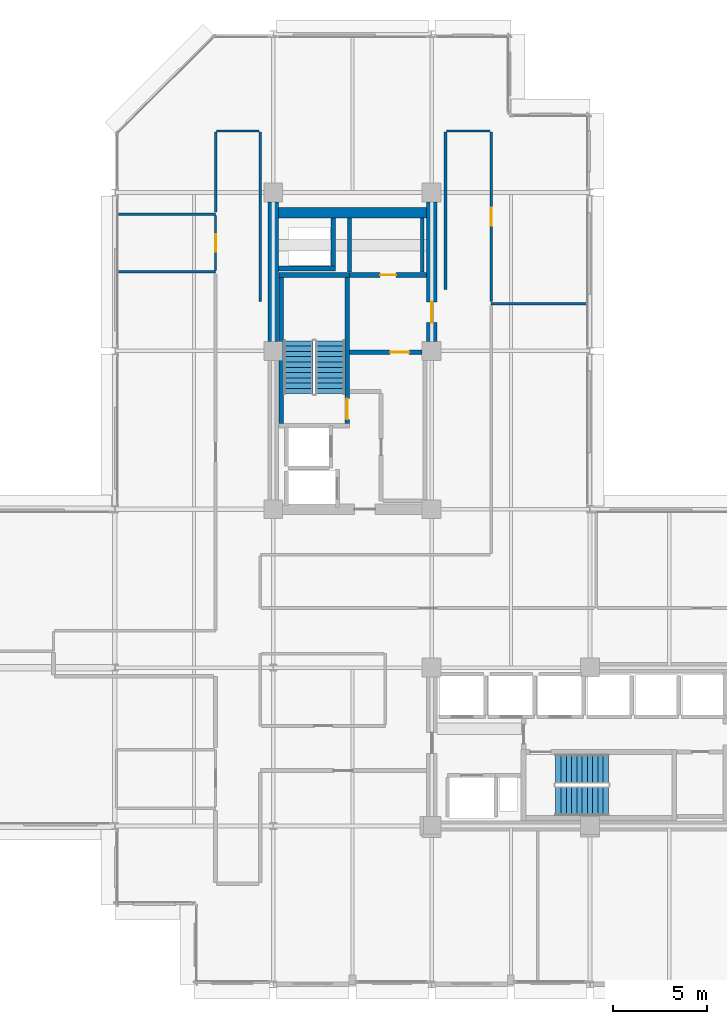
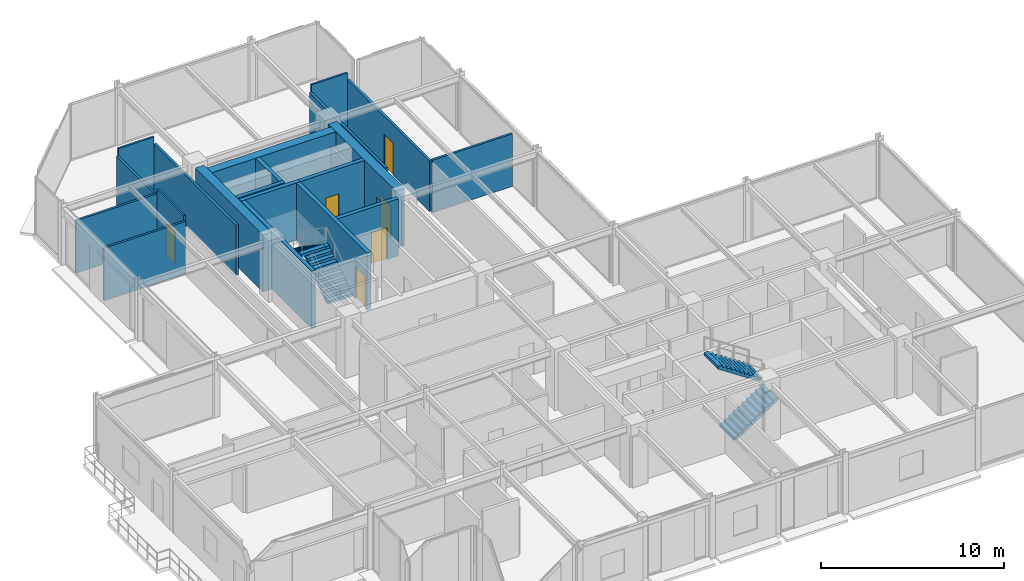
# One storey, part 26 of 29: 22 walls, 6 doors, 4 stair flights, 6 openings, 2 elements without a shape of their own.
"""IFC4 building model written with IfcOpenShell, lengths in metres."""

from ifc_helpers import new_model, si_unit, direction, frame, frame_2d, origin, place, context, subcontext, project, spatial, polyline, rectangle, outline, extrude, material, layer, layer_set, type_object, element, fill, aggregate, save


model = new_model("IFC4")

# Units and contexts
model_context = context("Model", 3, precision=1e-05, world=origin(), true_north=direction((0.0, 1.0)))
body_context = subcontext(model_context, "Body", "Model", "MODEL_VIEW")
ifc_project = project(units=[si_unit("LENGTHUNIT", "METRE"), si_unit("AREAUNIT", "SQUARE_METRE"), si_unit("VOLUMEUNIT", "CUBIC_METRE"), si_unit("PLANEANGLEUNIT", "RADIAN"), si_unit("MASSUNIT", "GRAM", prefix="KILO")], contexts=[model_context])

# Site, building, storey
site_placement = place(None, origin())
site = spatial("IfcSite", under=ifc_project, at=site_placement, CompositionType="ELEMENT")
building_placement = place(site_placement, origin())
building = spatial("IfcBuilding", under=site, at=building_placement, Name="Nerrivon Quay Data Exchange", CompositionType="ELEMENT")
storey_placement = place(building_placement, frame((0.0, 0.0, 204.199951171875)))
storey = spatial("IfcBuildingStorey", under=building, at=storey_placement, Name="L48", CompositionType="ELEMENT", Elevation=204.199951171875)

# Walls
ifc_material_1 = material(Name="Concrete S65 (65 MPa)", Category="concrete")
ifc_layer_1 = layer(ifc_material_1, 0.550048828125)
ifc_layer_set_1 = layer_set([ifc_layer_1], Name="Concrete S65 (65 MPa)")
wall_type_1 = type_object("IfcWallType", Name="WALL-CW-700", PredefinedType="SHEAR", material=ifc_layer_set_1)
wall_1_placement = place(storey_placement, frame((8.39990234375, 34.10009765625, 0.0), z_axis=(0.0, 0.0, 1.0), x_axis=(0.0, 1.0, 0.0)))
element("IfcWall", 1, at=wall_1_placement, inside=storey, type_object=wall_type_1, Name="L48 West Split-Core Shear Wall WCW-W2", PredefinedType="SHEAR", context=body_context, shape_type="SweptSolid", body=[
    extrude(rectangle(XDim=7.39990234375, YDim=0.550048828125, at=frame_2d((3.699951171875, 0.0))), origin(), (0.0, 0.0, 1.0), 3.824951171875),
])
wall_2_placement = place(storey_placement, frame((8.675048828125, 40.925048828125, 0.0), z_axis=(0.0, 0.0, 1.0), x_axis=(1.0, 0.0, 0.0)))
element("IfcWall", 2, at=wall_2_placement, inside=storey, type_object=wall_type_1, Name="L48 West Split-Core Shear Wall WCW-N1", PredefinedType="SHEAR", context=body_context, shape_type="SweptSolid", body=[
    extrude(rectangle(XDim=7.849853515625, YDim=0.550048828125, at=frame_2d((3.9248046875, 0.0))), origin(), (0.0, 0.0, 1.0), 3.824951171875),
])

# Wall, opening, door
wall_3_placement = place(storey_placement, frame((16.800048828125, 34.10009765625, 0.0), z_axis=(0.0, 0.0, 1.0), x_axis=(0.0, 1.0, 0.0)))
wall_3 = element("IfcWall", 3, at=wall_3_placement, inside=storey, type_object=wall_type_1, Name="L48 West Split-Core Shear Wall WCW-E1", PredefinedType="SHEAR", context=body_context, shape_type="SweptSolid", body=[
    extrude(rectangle(XDim=7.39990234375, YDim=0.550048828125, at=frame_2d((3.699951171875, 0.0))), origin(), (0.0, 0.0, 1.0), 3.824951171875),
])
opening_1_placement = place(wall_3_placement, frame((1.0, 0.0, 0.0)))
opening_1 = element("IfcOpeningElement", 4, at=opening_1_placement, cuts=wall_3, Name="Opening FD-120", PredefinedType="OPENING", context=body_context, shape_type="SweptSolid", body=[
    extrude(rectangle(XDim=1.10009765625, YDim=2.14990234375, at=frame_2d((0.550048828125, 1.074951171875))), frame((0.0, 0.284912109375, 0.0), z_axis=(0.0, -1.0, 0.0), x_axis=(1.0, 0.0, 0.0)), (0.0, 0.0, 1.0), 0.570068359375),
])
ifc_material_2 = material(Name="Powder-coated galvanized steel sheet", Category="steel")
door_type_1 = type_object("IfcDoorType", Name="DR-FD120-1100", OperationType="NOTDEFINED", PredefinedType="DOOR", material=ifc_material_2)
door_1_placement = place(opening_1_placement, origin())
door_1 = element("IfcDoor", 5, at=door_1_placement, inside=storey, type_object=door_type_1, Name="L48 West Core Lobby Fire Door", OperationType="SINGLE_SWING_LEFT", OverallHeight=2.14990234375, OverallWidth=1.10009765625, PredefinedType="DOOR", context=body_context, shape_type="SweptSolid", body=[
    extrude(rectangle(XDim=1.10009765625, YDim=2.14990234375, at=frame_2d((0.550048828125, 1.074951171875))), frame((0.0, 0.02490234375, 0.0), z_axis=(0.0, -1.0, 0.0), x_axis=(1.0, 0.0, 0.0)), (0.0, 0.0, 1.0), 0.050048828125),
])
fill(opening_1, door_1)

# Walls
ifc_material_3 = material(Name="Gypsum plasterboard on cold-formed framing", Category="gypsum")
ifc_layer_2 = layer(ifc_material_3, 0.199951171875)
ifc_layer_set_2 = layer_set([ifc_layer_2], Name="Gypsum plasterboard on cold-formed framing")
wall_type_2 = type_object("IfcWallType", Name="WALL-FW-200", PredefinedType="PARTITIONING", material=ifc_layer_set_2)
for number, where, z_axis, x_axis, name in (
    (6, (16.300048828125, 37.780029296875, 0.0), (0.0, 0.0, 1.0), (0.0, 1.0, 0.0), "L48 Partition Cleaners Store"),
    (7, (12.449951171875, 40.64599609375, 0.0), (0.0, 0.0, 1.0), (0.0, -1.0, 0.0), "L48 Partition Cleaners Store"),
):
    element("IfcWall", number, at=place(storey_placement, frame(where, z_axis=z_axis, x_axis=x_axis)), inside=storey, type_object=wall_type_2, Name=name, PredefinedType="PARTITIONING", context=body_context, shape_type="SweptSolid", body=[
        extrude(rectangle(XDim=2.865966796875, YDim=0.199951171875, at=frame_2d((1.43310546875, 0.0))), origin(), (0.0, 0.0, 1.0), 2.875),
    ])

# Wall, opening, door
ifc_layer_3 = layer(ifc_material_3, 0.1201171875)
ifc_layer_set_3 = layer_set([ifc_layer_3], Name="Gypsum plasterboard on cold-formed framing")
wall_type_3 = type_object("IfcWallType", Name="WALL-PT-120", PredefinedType="PARTITIONING", material=ifc_layer_set_3)
wall_4_placement = place(storey_placement, frame((5.340087890625, 37.87158203125, 0.0), z_axis=(0.0, 0.0, 1.0), x_axis=(0.0, 1.0, 0.0)))
wall_4 = element("IfcWall", 8, at=wall_4_placement, inside=storey, type_object=wall_type_3, Name="L48 Partition Accessible Toilet", PredefinedType="PARTITIONING", context=body_context, shape_type="SweptSolid", body=[
    extrude(rectangle(XDim=2.906982421875, YDim=0.1201171875, at=frame_2d((1.45361328125, 0.0))), origin(), (0.0, 0.0, 1.0), 3.824951171875),
])
opening_2_placement = place(wall_4_placement, frame((0.993408203125, 0.0, 0.0)))
opening_2 = element("IfcOpeningElement", 9, at=opening_2_placement, cuts=wall_4, Name="Opening D-WC", PredefinedType="OPENING", context=body_context, shape_type="SweptSolid", body=[
    extrude(rectangle(XDim=0.919921875, YDim=2.10009765625, at=frame_2d((0.4599609375, 1.050048828125))), frame((0.0, 0.070068359375, 0.0), z_axis=(0.0, -1.0, 0.0), x_axis=(1.0, 0.0, 0.0)), (0.0, 0.0, 1.0), 0.14013671875),
])
ifc_material_4 = material(Name="Engineered hardwood timber", Category="wood")
door_type_2 = type_object("IfcDoorType", Name="DR-WC-920", OperationType="NOTDEFINED", PredefinedType="DOOR", material=ifc_material_4)
door_2_placement = place(opening_2_placement, origin())
door_2 = element("IfcDoor", 10, at=door_2_placement, inside=storey, type_object=door_type_2, Name="L48 Door Accessible Toilet", OperationType="SINGLE_SWING_RIGHT", OverallHeight=2.10009765625, OverallWidth=0.919921875, PredefinedType="DOOR", context=body_context, shape_type="SweptSolid", body=[
    extrude(rectangle(XDim=0.919921875, YDim=2.10009765625, at=frame_2d((0.4599609375, 1.050048828125))), frame((0.0, 0.02490234375, 0.0), z_axis=(0.0, -1.0, 0.0), x_axis=(1.0, 0.0, 0.0)), (0.0, 0.0, 1.0), 0.050048828125),
])
fill(opening_2, door_2)

# Walls
wall_5_placement = place(storey_placement, frame((5.39990234375, 45.260009765625, 0.0), z_axis=(0.0, 0.0, 1.0), x_axis=(1.0, 0.0, 0.0)))
element("IfcWall", 11, at=wall_5_placement, inside=storey, type_object=wall_type_3, Name="L48 Partition Technical Library", PredefinedType="PARTITIONING", context=body_context, shape_type="SweptSolid", body=[
    extrude(rectangle(XDim=2.25, YDim=0.1201171875, at=frame_2d((1.125, 0.0))), origin(), (0.0, 0.0, 1.0), 3.824951171875),
])
wall_6_placement = place(storey_placement, frame((17.60009765625, 45.260009765625, 0.0), z_axis=(0.0, 0.0, 1.0), x_axis=(1.0, 0.0, 0.0)))
element("IfcWall", 12, at=wall_6_placement, inside=storey, type_object=wall_type_3, Name="L48 Partition Technical Library", PredefinedType="PARTITIONING", context=body_context, shape_type="SweptSolid", body=[
    extrude(rectangle(XDim=2.2998046875, YDim=0.1201171875, at=frame_2d((1.14990234375, 0.0))), origin(), (0.0, 0.0, 1.0), 3.824951171875),
])
ifc_layer_4 = layer(ifc_material_3, 0.135009765625)
ifc_layer_set_4 = layer_set([ifc_layer_4], Name="Gypsum plasterboard on cold-formed framing")
wall_type_4 = type_object("IfcWallType", Name="WALL-PT-135", PredefinedType="PARTITIONING", material=ifc_layer_set_4)
for number, where, z_axis, x_axis, name in (
    (13, (5.340087890625, 40.85009765625, 0.0), (0.0, 0.0, 1.0), (-1.0, 0.0, 0.0), "L48 Partition Accessible Toilet"),
    (14, (0.1689453125, 37.800048828125, 0.0), (0.0, 0.0, 1.0), (1.0, 0.0, 0.0), "L48 Partition Accessible Toilet"),
):
    element("IfcWall", number, at=place(storey_placement, frame(where, z_axis=z_axis, x_axis=x_axis)), inside=storey, type_object=wall_type_4, Name=name, PredefinedType="PARTITIONING", context=body_context, shape_type="SweptSolid", body=[
        extrude(rectangle(XDim=5.171142578125, YDim=0.135009765625, at=frame_2d((2.58544921875, 0.0))), origin(), (0.0, 0.0, 1.0), 3.51806640625),
    ])
wall_7_placement = place(storey_placement, frame((25.031005859375, 36.092041015625, 0.0), z_axis=(0.0, 0.0, 1.0), x_axis=(-1.0, 0.0, 0.0)))
element("IfcWall", 15, at=wall_7_placement, inside=storey, type_object=wall_type_4, Name="L48 Partition Staff Tea Pantry", PredefinedType="PARTITIONING", context=body_context, shape_type="SweptSolid", body=[
    extrude(rectangle(XDim=5.071044921875, YDim=0.135009765625, at=frame_2d((2.53564453125, 0.0))), origin(), (0.0, 0.0, 1.0), 3.51806640625),
])
wall_8_placement = place(storey_placement, frame((5.340087890625, 40.969970703125, 0.0), z_axis=(0.0, 0.0, 1.0), x_axis=(0.0, 1.0, 0.0)))
element("IfcWall", 16, at=wall_8_placement, inside=storey, type_object=wall_type_4, Name="L48 Partition Technical Library", PredefinedType="PARTITIONING", context=body_context, shape_type="SweptSolid", body=[
    extrude(rectangle(XDim=4.22998046875, YDim=0.135009765625, at=frame_2d((2.114990234375, 0.0))), origin(), (0.0, 0.0, 1.0), 3.364990234375),
])

# Wall, opening, door
ifc_layer_5 = layer(ifc_material_3, 0.14990234375)
ifc_layer_set_5 = layer_set([ifc_layer_5], Name="Gypsum plasterboard on cold-formed framing")
wall_type_5 = type_object("IfcWallType", Name="WALL-PT-150", PredefinedType="PARTITIONING", material=ifc_layer_set_5)
wall_9_placement = place(storey_placement, frame((19.9599609375, 45.199951171875, 0.0), z_axis=(0.0, 0.0, 1.0), x_axis=(0.0, -1.0, 0.0)))
wall_9 = element("IfcWall", 17, at=wall_9_placement, inside=storey, type_object=wall_type_5, Name="L48 Partition Technical Library", PredefinedType="PARTITIONING", context=body_context, shape_type="SweptSolid", body=[
    extrude(rectangle(XDim=8.988037109375, YDim=0.14990234375, at=frame_2d((4.494140625, 0.0))), origin(), (0.0, 0.0, 1.0), 3.364990234375),
])
opening_3_placement = place(wall_9_placement, frame((4.01904296875, 0.0, 0.0)))
opening_3 = element("IfcOpeningElement", 18, at=opening_3_placement, cuts=wall_9, Name="Opening D-01", PredefinedType="OPENING", context=body_context, shape_type="SweptSolid", body=[
    extrude(rectangle(XDim=0.949951171875, YDim=2.14990234375, at=frame_2d((0.47509765625, 1.074951171875))), frame((0.0, 0.0849609375, 0.0), z_axis=(0.0, -1.0, 0.0), x_axis=(1.0, 0.0, 0.0)), (0.0, 0.0, 1.0), 0.169921875),
])
door_type_3 = type_object("IfcDoorType", Name="DR-INT-950", OperationType="NOTDEFINED", PredefinedType="DOOR", material=ifc_material_4)
door_3_placement = place(opening_3_placement, origin())
door_3 = element("IfcDoor", 19, at=door_3_placement, inside=storey, type_object=door_type_3, Name="L48 Door Technical Library", OperationType="SINGLE_SWING_LEFT", OverallHeight=2.14990234375, OverallWidth=0.949951171875, PredefinedType="DOOR", context=body_context, shape_type="SweptSolid", body=[
    extrude(rectangle(XDim=0.949951171875, YDim=2.14990234375, at=frame_2d((0.47509765625, 1.074951171875))), frame((0.0, 0.02490234375, 0.0), z_axis=(0.0, -1.0, 0.0), x_axis=(1.0, 0.0, 0.0)), (0.0, 0.0, 1.0), 0.050048828125),
])
fill(opening_3, door_3)

# Walls
wall_10_placement = place(storey_placement, frame((7.7099609375, 45.199951171875, 0.0), z_axis=(0.0, 0.0, 1.0), x_axis=(0.0, -1.0, 0.0)))
element("IfcWall", 20, at=wall_10_placement, inside=storey, type_object=wall_type_5, Name="L48 Partition Technical Library", PredefinedType="PARTITIONING", context=body_context, shape_type="SweptSolid", body=[
    extrude(rectangle(XDim=8.988037109375, YDim=0.14990234375, at=frame_2d((4.494140625, 0.0))), origin(), (0.0, 0.0, 1.0), 3.364990234375),
])
wall_11_placement = place(storey_placement, frame((17.5400390625, 36.860107421875, 0.0), z_axis=(0.0, 0.0, 1.0), x_axis=(0.0, 1.0, 0.0)))
element("IfcWall", 21, at=wall_11_placement, inside=storey, type_object=wall_type_5, Name="L48 Partition Technical Library", PredefinedType="PARTITIONING", context=body_context, shape_type="SweptSolid", body=[
    extrude(rectangle(XDim=8.33984375, YDim=0.14990234375, at=frame_2d((4.169921875, 0.0))), origin(), (0.0, 0.0, 1.0), 3.364990234375),
])
ifc_material_5 = material(Name="Concrete N50 (50 MPa)", Category="concrete")
ifc_layer_6 = layer(ifc_material_5, 0.25)
ifc_layer_set_6 = layer_set([ifc_layer_6], Name="Concrete N50 (50 MPa)")
wall_type_6 = type_object("IfcWallType", Name="WALL-SW-250", PredefinedType="SHEAR", material=ifc_layer_set_6)
wall_12_placement = place(storey_placement, frame((12.449951171875, 37.625, 0.0), z_axis=(0.0, 0.0, 1.0), x_axis=(-1.0, 0.0, 0.0)))
element("IfcWall", 22, at=wall_12_placement, inside=storey, type_object=wall_type_6, Name="L48 ST01 Structural Stair Core Wall FAR", PredefinedType="SHEAR", context=body_context, shape_type="SweptSolid", body=[
    extrude(rectangle(XDim=3.75, YDim=0.25, at=frame_2d((1.875, 0.0))), origin(), (0.0, 0.0, 1.0), 3.824951171875),
])

# Wall, opening, door
wall_13_placement = place(storey_placement, frame((12.324951171875, 29.75, 0.0), z_axis=(0.0, 0.0, 1.0), x_axis=(0.0, 1.0, 0.0)))
wall_13 = element("IfcWall", 23, at=wall_13_placement, inside=storey, type_object=wall_type_6, Name="L48 ST01 Structural Stair Core Wall LEFT", PredefinedType="SHEAR", context=body_context, shape_type="SweptSolid", body=[
    extrude(rectangle(XDim=7.75, YDim=0.25, at=frame_2d((3.875, 0.0))), origin(), (0.0, 0.0, 1.0), 3.824951171875),
])
opening_4_placement = place(wall_13_placement, frame((0.219970703125, 0.0, 0.0)))
opening_4 = element("IfcOpeningElement", 24, at=opening_4_placement, cuts=wall_13, Name="Opening FD-120", PredefinedType="OPENING", context=body_context, shape_type="SweptSolid", body=[
    extrude(rectangle(XDim=1.10009765625, YDim=2.14990234375, at=frame_2d((0.550048828125, 1.074951171875))), frame((0.0, 0.135009765625, 0.0), z_axis=(0.0, -1.0, 0.0), x_axis=(1.0, 0.0, 0.0)), (0.0, 0.0, 1.0), 0.27001953125),
])
door_4_placement = place(opening_4_placement, origin())
door_4 = element("IfcDoor", 25, at=door_4_placement, inside=storey, type_object=door_type_1, Name="L48 Protected Stair Door ST01", OperationType="SINGLE_SWING_LEFT", OverallHeight=2.14990234375, OverallWidth=1.10009765625, PredefinedType="DOOR", context=body_context, shape_type="SweptSolid", body=[
    extrude(rectangle(XDim=1.10009765625, YDim=2.14990234375, at=frame_2d((0.550048828125, 1.074951171875))), frame((0.0, 0.02490234375, 0.0), z_axis=(0.0, -1.0, 0.0), x_axis=(1.0, 0.0, 0.0)), (0.0, 0.0, 1.0), 0.050048828125),
])
fill(opening_4, door_4)

# Walls
wall_14_placement = place(storey_placement, frame((8.824951171875, 29.75, 0.0), z_axis=(0.0, 0.0, 1.0), x_axis=(0.0, 1.0, 0.0)))
element("IfcWall", 26, at=wall_14_placement, inside=storey, type_object=wall_type_6, Name="L48 ST01 Structural Stair Core Wall RIGHT", PredefinedType="SHEAR", context=body_context, shape_type="SweptSolid", body=[
    extrude(rectangle(XDim=7.75, YDim=0.25, at=frame_2d((3.875, 0.0))), origin(), (0.0, 0.0, 1.0), 3.824951171875),
])
wall_15_placement = place(storey_placement, frame((8.675048828125, 37.97509765625, 0.0), z_axis=(0.0, 0.0, 1.0), x_axis=(1.0, 0.0, 0.0)))
element("IfcWall", 27, at=wall_15_placement, inside=storey, type_object=wall_type_6, Name="L48 West Core MEP Riser Shaft Wall S", PredefinedType="SHEAR", context=body_context, shape_type="SweptSolid", body=[
    extrude(rectangle(XDim=3.02490234375, YDim=0.25, at=frame_2d((1.512451171875, 0.0))), origin(), (0.0, 0.0, 1.0), 3.824951171875),
])
wall_16_placement = place(storey_placement, frame((11.574951171875, 38.10009765625, 0.0), z_axis=(0.0, 0.0, 1.0), x_axis=(0.0, 1.0, 0.0)))
element("IfcWall", 28, at=wall_16_placement, inside=storey, type_object=wall_type_6, Name="L48 West Core MEP Riser Shaft Wall E", PredefinedType="SHEAR", context=body_context, shape_type="SweptSolid", body=[
    extrude(rectangle(XDim=2.5498046875, YDim=0.25, at=frame_2d((1.27490234375, 0.0))), origin(), (0.0, 0.0, 1.0), 3.824951171875),
])

# Wall, opening, door
wall_17_placement = place(storey_placement, frame((12.449951171875, 33.52001953125, 0.0), z_axis=(0.0, 0.0, 1.0), x_axis=(1.0, 0.0, 0.0)))
wall_17 = element("IfcWall", 29, at=wall_17_placement, inside=storey, type_object=wall_type_6, Name="L48 West Lobby Smoke-Stop Wall", PredefinedType="SHEAR", context=body_context, shape_type="SweptSolid", body=[
    extrude(rectangle(XDim=3.85009765625, YDim=0.25, at=frame_2d((1.925048828125, 0.0))), origin(), (0.0, 0.0, 1.0), 3.824951171875),
])
opening_5_placement = place(wall_17_placement, frame((2.14990234375, 0.0, 0.0)))
opening_5 = element("IfcOpeningElement", 30, at=opening_5_placement, cuts=wall_17, Name="Opening FD-60", PredefinedType="OPENING", context=body_context, shape_type="SweptSolid", body=[
    extrude(rectangle(XDim=1.0, YDim=2.14990234375, at=frame_2d((0.5, 1.074951171875))), frame((0.0, 0.135009765625, 0.0), z_axis=(0.0, -1.0, 0.0), x_axis=(1.0, 0.0, 0.0)), (0.0, 0.0, 1.0), 0.27001953125),
])
door_type_4 = type_object("IfcDoorType", Name="DR-FD60-1000", OperationType="NOTDEFINED", PredefinedType="DOOR", material=ifc_material_4)
door_5_placement = place(opening_5_placement, origin())
door_5 = element("IfcDoor", 31, at=door_5_placement, inside=storey, type_object=door_type_4, Name="L48 West Firefighting Lobby Fire Door", OperationType="SINGLE_SWING_LEFT", OverallHeight=2.14990234375, OverallWidth=1.0, PredefinedType="DOOR", context=body_context, shape_type="SweptSolid", body=[
    extrude(rectangle(XDim=1.0, YDim=2.14990234375, at=frame_2d((0.5, 1.074951171875))), frame((0.0, 0.02490234375, 0.0), z_axis=(0.0, -1.0, 0.0), x_axis=(1.0, 0.0, 0.0)), (0.0, 0.0, 1.0), 0.050048828125),
])
fill(opening_5, door_5)

wall_18_placement = place(storey_placement, frame((12.449951171875, 37.625, 0.0), z_axis=(0.0, 0.0, 1.0), x_axis=(1.0, 0.0, 0.0)))
wall_18 = element("IfcWall", 32, at=wall_18_placement, inside=storey, type_object=wall_type_6, Name="L48 West Firefighting Lobby Wall", PredefinedType="SHEAR", context=body_context, shape_type="SweptSolid", body=[
    extrude(rectangle(XDim=4.074951171875, YDim=0.25, at=frame_2d((2.03759765625, 0.0))), origin(), (0.0, 0.0, 1.0), 3.824951171875),
])
opening_6_placement = place(wall_18_placement, frame((1.612548828125, 0.0, 0.0)))
opening_6 = element("IfcOpeningElement", 33, at=opening_6_placement, cuts=wall_18, Name="Opening FD-60S", PredefinedType="OPENING", context=body_context, shape_type="SweptSolid", body=[
    extrude(rectangle(XDim=0.85009765625, YDim=2.14990234375, at=frame_2d((0.425048828125, 1.074951171875))), frame((0.0, 0.135009765625, 0.0), z_axis=(0.0, -1.0, 0.0), x_axis=(1.0, 0.0, 0.0)), (0.0, 0.0, 1.0), 0.27001953125),
])
door_type_5 = type_object("IfcDoorType", Name="DR-FD60-850", OperationType="NOTDEFINED", PredefinedType="DOOR", material=ifc_material_4)
door_6_placement = place(opening_6_placement, origin())
door_6 = element("IfcDoor", 34, at=door_6_placement, inside=storey, type_object=door_type_5, Name="L48 Door Cleaners Store", OperationType="SINGLE_SWING_RIGHT", OverallHeight=2.14990234375, OverallWidth=0.85009765625, PredefinedType="DOOR", context=body_context, shape_type="SweptSolid", body=[
    extrude(rectangle(XDim=0.85009765625, YDim=2.14990234375, at=frame_2d((0.425048828125, 1.074951171875))), frame((0.0, 0.02490234375, 0.0), z_axis=(0.0, -1.0, 0.0), x_axis=(1.0, 0.0, 0.0)), (0.0, 0.0, 1.0), 0.050048828125),
])
fill(opening_6, door_6)

# Stair, stair flights
stair_type = type_object("IfcStairType", Name="STAIR-DOG-41", PredefinedType="HALF_TURN_STAIR", material=ifc_material_5)
stair_1_placement = place(storey_placement, origin())
stair_1 = element("IfcStair", 35, at=stair_1_placement, inside=storey, type_object=stair_type, Name="L48 West Core Fire Stair ST01", PredefinedType="HALF_TURN_STAIR")
stair_flight_type = type_object("IfcStairFlightType", Name="FLIGHT-DOG-41", PredefinedType="STRAIGHT", material=ifc_material_5)
stair_flight_1_placement = place(storey_placement, frame((11.425048828125, 31.330078125, 0.0), z_axis=(0.0, 0.0, 1.0), x_axis=(0.0, 1.0, 0.0)))
stair_flight_1 = element("IfcStairFlight", 36, at=stair_flight_1_placement, type_object=stair_flight_type, Name="ST01 flight 1", NumberOfRisers=11, NumberOfTreads=10, PredefinedType="STRAIGHT", RiserHeight=0.186363636, TreadLength=0.28, context=body_context, shape_type="SweptSolid", body=[
    extrude(outline(polyline([(0.0, 0.0), (0.0, 0.186279296875), (0.280029296875, 0.186279296875), (0.280029296875, 0.372802734375), (0.56005859375, 0.372802734375), (0.56005859375, 0.55908203125), (0.840087890625, 0.55908203125), (0.840087890625, 0.745361328125), (1.1201171875, 0.745361328125), (1.1201171875, 0.931884765625), (1.39990234375, 0.931884765625), (1.39990234375, 1.1181640625), (1.679931640625, 1.1181640625), (1.679931640625, 1.304443359375), (1.9599609375, 1.304443359375), (1.9599609375, 1.490966796875), (2.239990234375, 1.490966796875), (2.239990234375, 1.67724609375), (2.52001953125, 1.67724609375), (2.52001953125, 1.863525390625), (2.800048828125, 1.863525390625), (2.800048828125, 2.050048828125), (2.800048828125, 1.68359375), (0.2705078125, 0.0), (0.0, 0.0)])), frame((0.0, 0.77490234375, 0.0), z_axis=(0.0, -1.0, 0.0), x_axis=(1.0, 0.0, 0.0)), (0.0, 0.0, 1.0), 1.550048828125),
])
stair_flight_2_placement = place(storey_placement, frame((9.72509765625, 34.1298828125, 2.050048828125), z_axis=(0.0, 0.0, 1.0), x_axis=(0.0, -1.0, 0.0)))
stair_flight_2 = element("IfcStairFlight", 37, at=stair_flight_2_placement, type_object=stair_flight_type, Name="ST01 flight 2", NumberOfRisers=11, NumberOfTreads=10, PredefinedType="STRAIGHT", RiserHeight=0.186363636, TreadLength=0.28, context=body_context, shape_type="SweptSolid", body=[
    extrude(outline(polyline([(0.0, 0.0), (0.0, 0.186279296875), (0.280029296875, 0.186279296875), (0.280029296875, 0.372802734375), (0.56005859375, 0.372802734375), (0.56005859375, 0.55908203125), (0.840087890625, 0.55908203125), (0.840087890625, 0.745361328125), (1.1201171875, 0.745361328125), (1.1201171875, 0.931884765625), (1.39990234375, 0.931884765625), (1.39990234375, 1.1181640625), (1.679931640625, 1.1181640625), (1.679931640625, 1.304443359375), (1.9599609375, 1.304443359375), (1.9599609375, 1.490966796875), (2.239990234375, 1.490966796875), (2.239990234375, 1.67724609375), (2.52001953125, 1.67724609375), (2.52001953125, 1.863525390625), (2.800048828125, 1.863525390625), (2.800048828125, 2.050048828125), (2.800048828125, 1.68359375), (0.2705078125, 0.0), (0.0, 0.0)])), frame((0.0, 0.77490234375, 0.0), z_axis=(0.0, -1.0, 0.0), x_axis=(1.0, 0.0, 0.0)), (0.0, 0.0, 1.0), 1.550048828125),
])
aggregate(stair_1, [stair_flight_1, stair_flight_2])

stair_2_placement = place(storey_placement, origin())
stair_2 = element("IfcStair", 38, at=stair_2_placement, inside=storey, type_object=stair_type, Name="L48 East Core Fire Stair ST02", PredefinedType="HALF_TURN_STAIR")
stair_flight_3_placement = place(storey_placement, frame((23.3798828125, 9.72509765625, 0.0), z_axis=(0.0, 0.0, 1.0), x_axis=(1.0, 0.0, 0.0)))
stair_flight_3 = element("IfcStairFlight", 39, at=stair_flight_3_placement, type_object=stair_flight_type, Name="ST02 flight 1", NumberOfRisers=11, NumberOfTreads=10, PredefinedType="STRAIGHT", RiserHeight=0.186363636, TreadLength=0.28, context=body_context, shape_type="SweptSolid", body=[
    extrude(outline(polyline([(0.0, 0.0), (0.0, 0.186279296875), (0.280029296875, 0.186279296875), (0.280029296875, 0.372802734375), (0.56005859375, 0.372802734375), (0.56005859375, 0.55908203125), (0.840087890625, 0.55908203125), (0.840087890625, 0.745361328125), (1.1201171875, 0.745361328125), (1.1201171875, 0.931884765625), (1.39990234375, 0.931884765625), (1.39990234375, 1.1181640625), (1.679931640625, 1.1181640625), (1.679931640625, 1.304443359375), (1.9599609375, 1.304443359375), (1.9599609375, 1.490966796875), (2.239990234375, 1.490966796875), (2.239990234375, 1.67724609375), (2.52001953125, 1.67724609375), (2.52001953125, 1.863525390625), (2.800048828125, 1.863525390625), (2.800048828125, 2.050048828125), (2.800048828125, 1.68359375), (0.2705078125, 0.0), (0.0, 0.0)])), frame((0.0, 0.77490234375, 0.0), z_axis=(0.0, -1.0, 0.0), x_axis=(1.0, 0.0, 0.0)), (0.0, 0.0, 1.0), 1.550048828125),
])
stair_flight_4_placement = place(storey_placement, frame((26.179931640625, 11.425048828125, 2.050048828125), z_axis=(0.0, 0.0, 1.0), x_axis=(-1.0, 0.0, 0.0)))
stair_flight_4 = element("IfcStairFlight", 40, at=stair_flight_4_placement, type_object=stair_flight_type, Name="ST02 flight 2", NumberOfRisers=11, NumberOfTreads=10, PredefinedType="STRAIGHT", RiserHeight=0.186363636, TreadLength=0.28, context=body_context, shape_type="SweptSolid", body=[
    extrude(outline(polyline([(0.0, 0.0), (0.0, 0.186279296875), (0.280029296875, 0.186279296875), (0.280029296875, 0.372802734375), (0.56005859375, 0.372802734375), (0.56005859375, 0.55908203125), (0.840087890625, 0.55908203125), (0.840087890625, 0.745361328125), (1.1201171875, 0.745361328125), (1.1201171875, 0.931884765625), (1.39990234375, 0.931884765625), (1.39990234375, 1.1181640625), (1.679931640625, 1.1181640625), (1.679931640625, 1.304443359375), (1.9599609375, 1.304443359375), (1.9599609375, 1.490966796875), (2.239990234375, 1.490966796875), (2.239990234375, 1.67724609375), (2.52001953125, 1.67724609375), (2.52001953125, 1.863525390625), (2.800048828125, 1.863525390625), (2.800048828125, 2.050048828125), (2.800048828125, 1.68359375), (0.2705078125, 0.0), (0.0, 0.0)])), frame((0.0, 0.77490234375, 0.0), z_axis=(0.0, -1.0, 0.0), x_axis=(1.0, 0.0, 0.0)), (0.0, 0.0, 1.0), 1.550048828125),
])
aggregate(stair_2, [stair_flight_3, stair_flight_4])

save(model, "model.ifc")
